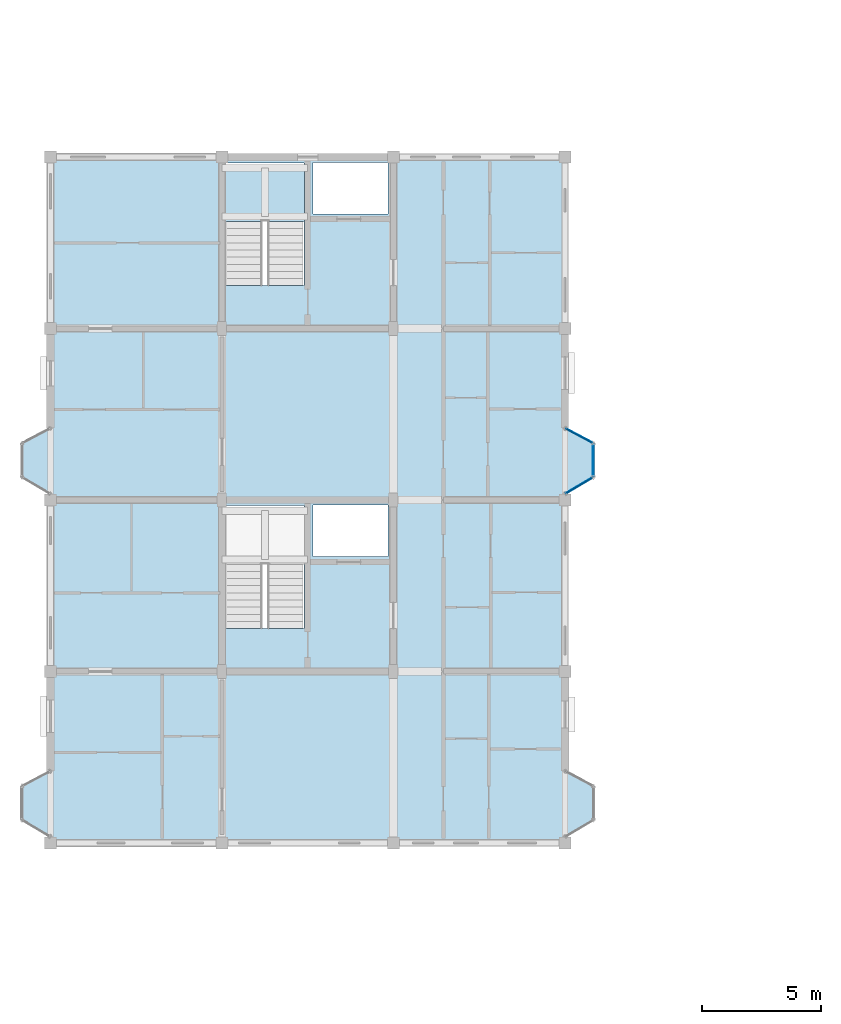
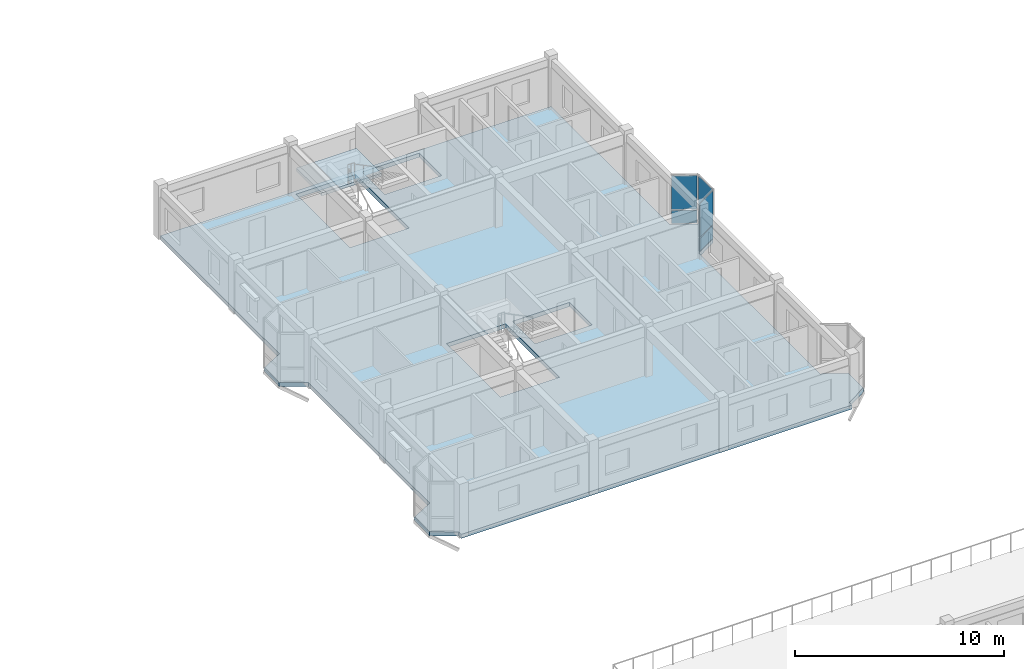
# One storey, part 43 of 70: 6 plates, 2 slabs, 4 elements without a shape of their own.
"""IFC4 building model written with IfcOpenShell, lengths in metres."""

from ifc_helpers import new_model, si_unit, direction, frame, origin, origin_2d, place, context, subcontext, project, spatial, polyline, rectangle, outline, extrude, material, layer, layer_set, type_object, element, aggregate, save


model = new_model("IFC4")

# Units and contexts
model_context = context("Model", 3, precision=1e-05, world=origin(), true_north=direction((0.0, 1.0)))
body_context = subcontext(model_context, "Body", "Model", "MODEL_VIEW")
ifc_project = project(units=[si_unit("LENGTHUNIT", "METRE"), si_unit("AREAUNIT", "SQUARE_METRE"), si_unit("VOLUMEUNIT", "CUBIC_METRE"), si_unit("PLANEANGLEUNIT", "RADIAN"), si_unit("MASSUNIT", "GRAM", prefix="KILO"), si_unit("THERMODYNAMICTEMPERATUREUNIT", "KELVIN"), si_unit("POWERUNIT", "WATT")], contexts=[model_context])

# Site, building, storey
site_placement = place(None, origin())
site = spatial("IfcSite", under=ifc_project, at=site_placement, CompositionType="ELEMENT")
building_placement = place(site_placement, origin())
building = spatial("IfcBuilding", under=site, at=building_placement, Name="Tavuni Mirador Residences", CompositionType="ELEMENT")
storey_placement = place(building_placement, frame((0.0, 0.0, 23.39990234375)))
storey = spatial("IfcBuildingStorey", under=building, at=storey_placement, Name="L07", CompositionType="ELEMENT", Elevation=23.39990234375)

# Curtain wall, plate
ifc_material_1 = material(Name="Anodised aluminium", Category="aluminium")
ifc_layer_1 = layer(ifc_material_1, 0.1650390625, Name="Anodised aluminium", Category="aluminium")
ifc_layer_set_1 = layer_set([ifc_layer_1], Name="Anodised aluminium")
curtain_wall_type_1 = type_object("IfcCurtainWallType", Name="CWT-MIR-A", PredefinedType="NOTDEFINED", material=ifc_layer_set_1)
curtain_wall_1_placement = place(storey_placement, origin())
curtain_wall_1 = element("IfcCurtainWall", 1, at=curtain_wall_1_placement, inside=storey, type_object=curtain_wall_type_1, Name="CW-MIR-B-E2-L07-MF", PredefinedType="NOTDEFINED")
ifc_material_2 = material(Name="Laminated solar-control glass", Category="glass")
ifc_layer_2 = layer(ifc_material_2, 0.02392578125, Name="Laminated solar-control glass", Category="glass")
ifc_layer_set_2 = layer_set([ifc_layer_2], Name="Laminated solar-control glass")
plate_type_1 = type_object("IfcPlateType", Name="CWP-GL24", PredefinedType="CURTAIN_PANEL", material=ifc_layer_set_2)
plate_1_placement = place(storey_placement, frame((26.39990234375, 80.8701171875, 0.8798828125), z_axis=(0.0, 0.0, 1.0), x_axis=(0.0, 1.0, 0.0)))
plate_1 = element("IfcPlate", 2, at=plate_1_placement, type_object=plate_type_1, Name="CW-01 panel 1.2", PredefinedType="CURTAIN_PANEL", context=body_context, shape_type="SweptSolid", body=[
    extrude(rectangle(XDim=1.300048828125, YDim=0.02392578125, at=origin_2d()), origin(), (0.0, 0.0, 1.0), 1.969970703125),
])

ifc_layer_3 = layer(ifc_material_1, 0.14990234375, Name="Anodised aluminium", Category="aluminium")
ifc_layer_set_3 = layer_set([ifc_layer_3], Name="Anodised aluminium")
curtain_wall_type_2 = type_object("IfcCurtainWallType", Name="CWT-MIR-B", PredefinedType="NOTDEFINED", material=ifc_layer_set_3)
curtain_wall_2_placement = place(storey_placement, origin())
curtain_wall_2 = element("IfcCurtainWall", 3, at=curtain_wall_2_placement, inside=storey, type_object=curtain_wall_type_2, Name="CW-MIR-B-E2-L07-M2", PredefinedType="NOTDEFINED")
ifc_layer_4 = layer(ifc_material_2, 0.028076171875, Name="Laminated solar-control glass", Category="glass")
ifc_layer_set_4 = layer_set([ifc_layer_4], Name="Laminated solar-control glass")
plate_type_2 = type_object("IfcPlateType", Name="CWP-GL28", PredefinedType="CURTAIN_PANEL", material=ifc_layer_set_4)
plate_2_placement = place(storey_placement, frame((25.800048828125, 81.89990234375, 0.882568359375), z_axis=(0.0, 0.0, 1.0), x_axis=(-0.882352941175, 0.470588235296, 0.0)))
plate_2 = element("IfcPlate", 4, at=plate_2_placement, type_object=plate_type_2, Name="CW-02 panel 1.2", PredefinedType="CURTAIN_PANEL", context=body_context, shape_type="SweptSolid", body=[
    extrude(rectangle(XDim=1.22998046875, YDim=0.028076171875, at=origin_2d()), origin(), (0.0, 0.0, 1.0), 1.96240234375),
])

ifc_layer_5 = layer(ifc_material_1, 0.159912109375, Name="Anodised aluminium", Category="aluminium")
ifc_layer_set_5 = layer_set([ifc_layer_5], Name="Anodised aluminium")
curtain_wall_type_3 = type_object("IfcCurtainWallType", Name="CWT-MIR-D", PredefinedType="NOTDEFINED", material=ifc_layer_set_5)
curtain_wall_3_placement = place(storey_placement, origin())
curtain_wall_3 = element("IfcCurtainWall", 5, at=curtain_wall_3_placement, inside=storey, type_object=curtain_wall_type_3, Name="CW-MIR-B-E2-L07-M1", PredefinedType="NOTDEFINED")
ifc_layer_6 = layer(ifc_material_2, 0.035888671875, Name="Laminated solar-control glass", Category="glass")
ifc_layer_set_6 = layer_set([ifc_layer_6], Name="Laminated solar-control glass")
plate_type_3 = type_object("IfcPlateType", Name="CWP-GL36", PredefinedType="CURTAIN_PANEL", material=ifc_layer_set_6)
plate_3_placement = place(storey_placement, frame((25.800048828125, 79.804931640625, 0.882568359375), z_axis=(0.0, 0.0, 1.0), x_axis=(0.860640830284, 0.509212491254, 0.0)))
plate_3 = element("IfcPlate", 6, at=plate_3_placement, type_object=plate_type_3, Name="CW-04 panel 1.2", PredefinedType="CURTAIN_PANEL", context=body_context, shape_type="SweptSolid", body=[
    extrude(rectangle(XDim=1.264404296875, YDim=0.035888671875, at=origin_2d()), origin(), (0.0, 0.0, 1.0), 1.96240234375),
])

# Plate
ifc_material_3 = material(Name="Ceramic trencadis mosaic panel", Category="masonry")
ifc_layer_7 = layer(ifc_material_3, 0.0419921875, Name="Ceramic trencadis mosaic panel", Category="masonry")
ifc_layer_set_7 = layer_set([ifc_layer_7], Name="Ceramic trencadis mosaic panel")
plate_type_4 = type_object("IfcPlateType", Name="CWP-SP42", PredefinedType="CURTAIN_PANEL", material=ifc_layer_set_7)
plate_4_placement = place(storey_placement, frame((26.39990234375, 80.8701171875, 0.06005859375), z_axis=(0.0, 0.0, 1.0), x_axis=(0.0, 1.0, 0.0)))
plate_4 = element("IfcPlate", 7, at=plate_4_placement, type_object=plate_type_4, Name="CW-01 panel 1.1", PredefinedType="CURTAIN_PANEL", context=body_context, shape_type="SweptSolid", body=[
    extrude(rectangle(XDim=1.300048828125, YDim=0.0419921875, at=origin_2d()), origin(), (0.0, 0.0, 1.0), 0.760009765625),
])

aggregate(curtain_wall_1, [plate_4, plate_1])

ifc_layer_8 = layer(ifc_material_3, 0.048095703125, Name="Ceramic trencadis mosaic panel", Category="masonry")
ifc_layer_set_8 = layer_set([ifc_layer_8], Name="Ceramic trencadis mosaic panel")
plate_type_5 = type_object("IfcPlateType", Name="CWP-SP48", PredefinedType="CURTAIN_PANEL", material=ifc_layer_set_8)
plate_5_placement = place(storey_placement, frame((25.800048828125, 79.804931640625, 0.065185546875), z_axis=(0.0, 0.0, 1.0), x_axis=(0.860640830284, 0.509212491254, 0.0)))
plate_5 = element("IfcPlate", 8, at=plate_5_placement, type_object=plate_type_5, Name="CW-04 panel 1.1", PredefinedType="CURTAIN_PANEL", context=body_context, shape_type="SweptSolid", body=[
    extrude(rectangle(XDim=1.264404296875, YDim=0.048095703125, at=origin_2d()), origin(), (0.0, 0.0, 1.0), 0.75244140625),
])

aggregate(curtain_wall_3, [plate_5, plate_3])

plate_6_placement = place(storey_placement, frame((25.800048828125, 81.89990234375, 0.065185546875), z_axis=(0.0, 0.0, 1.0), x_axis=(-0.882352941175, 0.470588235296, 0.0)))
plate_6 = element("IfcPlate", 9, at=plate_6_placement, type_object=plate_type_5, Name="CW-02 panel 1.1", PredefinedType="CURTAIN_PANEL", context=body_context, shape_type="SweptSolid", body=[
    extrude(rectangle(XDim=1.22998046875, YDim=0.048095703125, at=origin_2d()), origin(), (0.0, 0.0, 1.0), 0.75244140625),
])

aggregate(curtain_wall_2, [plate_6, plate_2])

# Slab
ifc_material_4 = material(Name="Prestressed concrete C45/55", Category="concrete")
ifc_layer_9 = layer(ifc_material_4, 0.239990234375, Name="Prestressed concrete C45/55", Category="concrete")
ifc_layer_set_9 = layer_set([ifc_layer_9], Name="Prestressed concrete C45/55")
slab_type_1 = type_object("IfcSlabType", Name="SLT-FLR240", PredefinedType="FLOOR", material=ifc_layer_set_9)
slab_1_placement = place(storey_placement, frame((0.0, 0.0, -0.239990234375)))
element("IfcSlab", 10, at=slab_1_placement, inside=storey, type_object=slab_type_1, Name="SLB-BLK-B-L07", PredefinedType="FLOOR", context=body_context, shape_type="SweptSolid", body=[
    extrude(outline(polyline([(3.60009765625, 64.800048828125), (25.199951171875, 64.800048828125), (25.199951171875, 65.050048828125), (26.39990234375, 65.760009765625), (26.39990234375, 67.179931640625), (25.199951171875, 67.820068359375), (25.199951171875, 79.449951171875), (26.39990234375, 80.159912109375), (26.39990234375, 81.580078125), (25.199951171875, 82.219970703125), (25.199951171875, 93.60009765625), (3.60009765625, 93.60009765625), (3.60009765625, 82.219970703125), (2.39990234375, 81.580078125), (2.39990234375, 80.159912109375), (3.60009765625, 79.449951171875), (3.60009765625, 67.820068359375), (2.39990234375, 67.179931640625), (2.39990234375, 65.760009765625), (3.60009765625, 65.050048828125), (3.60009765625, 64.800048828125)]), holes=[polyline([(10.9599609375, 73.80810546875), (14.239990234375, 73.80810546875), (14.239990234375, 78.9599609375), (10.9599609375, 78.9599609375), (10.9599609375, 73.80810546875)]), polyline([(14.6201171875, 76.820068359375), (17.780029296875, 76.820068359375), (17.780029296875, 78.97998046875), (14.6201171875, 78.97998046875), (14.6201171875, 76.820068359375)]), polyline([(10.9599609375, 88.2080078125), (14.239990234375, 88.2080078125), (14.239990234375, 93.360107421875), (10.9599609375, 93.360107421875), (10.9599609375, 88.2080078125)]), polyline([(14.6201171875, 91.219970703125), (17.780029296875, 91.219970703125), (17.780029296875, 93.3798828125), (14.6201171875, 93.3798828125), (14.6201171875, 91.219970703125)])]), origin(), (0.0, 0.0, 1.0), 0.239990234375),
])

# Stair, slab
ifc_material_5 = material(Name="Precast concrete C40/50", Category="concrete")
stair_type = type_object("IfcStairType", Name="STT-TYP", PredefinedType="HALF_TURN_STAIR", material=ifc_material_5)
stair_placement = place(storey_placement, origin())
stair = element("IfcStair", 11, at=stair_placement, inside=storey, type_object=stair_type, Name="Protected exit stair ST4 (L07)", PredefinedType="HALF_TURN_STAIR")
ifc_layer_10 = layer(ifc_material_5, 0.179931640625, Name="Precast concrete C40/50", Category="concrete")
ifc_layer_set_10 = layer_set([ifc_layer_10], Name="Precast concrete C40/50")
slab_type_2 = type_object("IfcSlabType", Name="SLT-LND180", PredefinedType="LANDING", material=ifc_layer_set_10)
slab_2_placement = place(storey_placement, frame((0.0, 0.0, 1.39501953125)))
slab_2 = element("IfcSlab", 12, at=slab_2_placement, type_object=slab_type_2, Name="ST4 landing 1", PredefinedType="LANDING", context=body_context, shape_type="SweptSolid", body=[
    extrude(outline(polyline([(10.93994140625, 90.89208984375), (14.260009765625, 90.89208984375), (14.260009765625, 93.300048828125), (10.93994140625, 93.300048828125), (10.93994140625, 90.89208984375)])), origin(), (0.0, 0.0, 1.0), 0.18017578125),
])
aggregate(stair, [slab_2])

save(model, "model.ifc")
